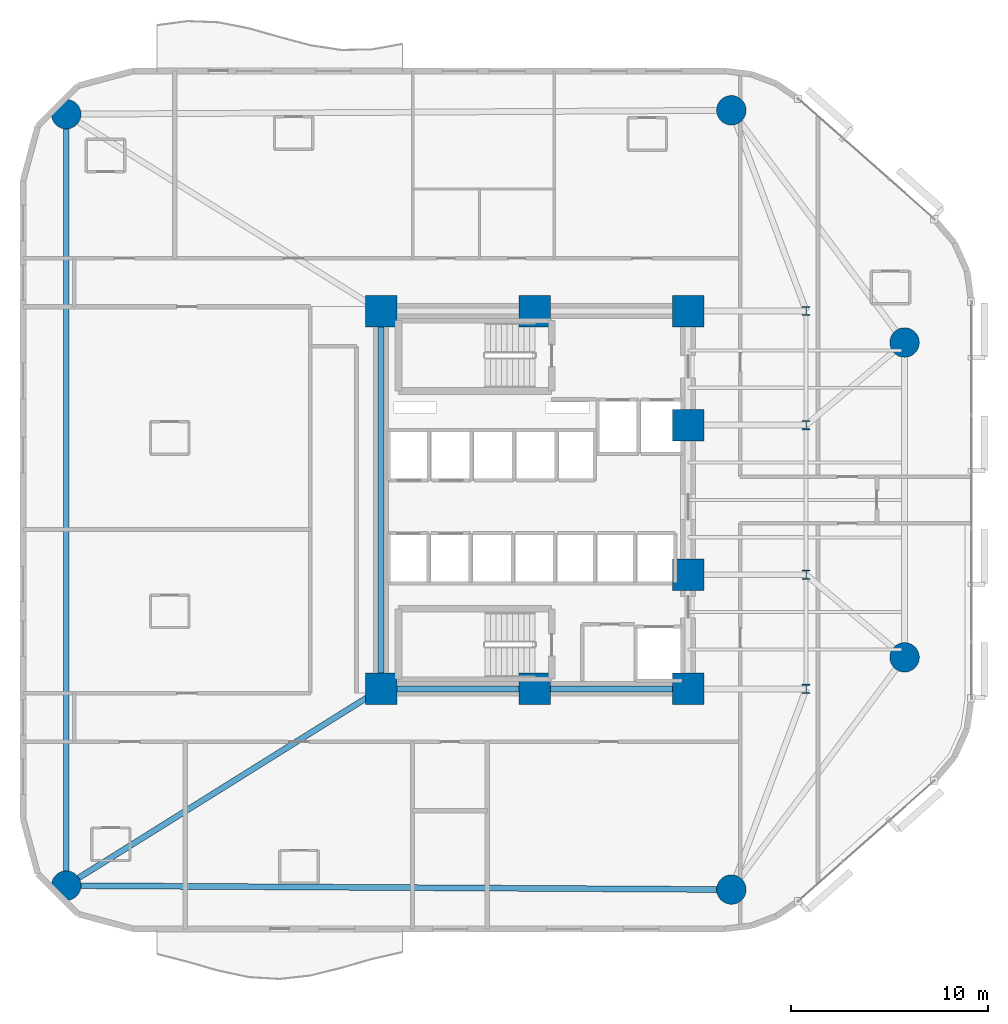
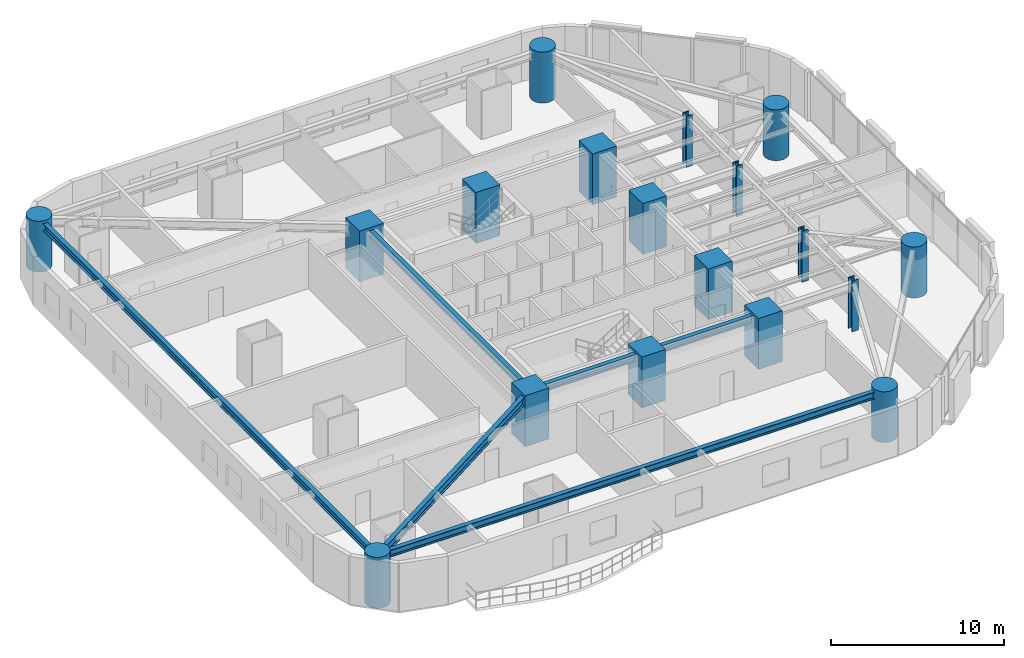
# One storey, part 1 of 16: 18 columns, 5 beams.
"""IFC4 building model written with IfcOpenShell, lengths in metres."""

from ifc_helpers import new_model, si_unit, direction, frame, origin, origin_2d, place, context, subcontext, project, spatial, rectangle, circle, i_section, extrude, material, material_profile, profile_set, type_object, element, save


model = new_model("IFC4")

# Units and contexts
model_context = context("Model", 3, precision=1e-05, world=origin(), true_north=direction((0.0, 1.0)))
body_context = subcontext(model_context, "Body", "Model", "MODEL_VIEW")
ifc_project = project(units=[si_unit("LENGTHUNIT", "METRE"), si_unit("AREAUNIT", "SQUARE_METRE"), si_unit("VOLUMEUNIT", "CUBIC_METRE"), si_unit("PLANEANGLEUNIT", "RADIAN"), si_unit("MASSUNIT", "GRAM", prefix="KILO")], contexts=[model_context])

# Site, building, storey
site_placement = place(None, origin())
site = spatial("IfcSite", under=ifc_project, at=site_placement, CompositionType="ELEMENT")
building_placement = place(site_placement, origin())
building = spatial("IfcBuilding", under=site, at=building_placement, Name="An Khanh Terracotta Commons", CompositionType="ELEMENT")
storey_placement = place(building_placement, frame((0.0, 0.0, 28.800048828125)))
storey = spatial("IfcBuildingStorey", under=building, at=storey_placement, Name="L07", CompositionType="ELEMENT", Elevation=28.800048828125)

# Columns
ifc_material_1 = material(Name="Concrete C70/85", Category="concrete")
ifc_material_profile_1 = material_profile(ifc_material_1, circle(Radius=0.75, at=origin_2d()), Name="CFST1500")
ifc_profile_set_1 = profile_set([ifc_material_profile_1], Name="Concrete C70/85")
column_type_1 = type_object("IfcColumnType", Name="COL-CFST1500", PredefinedType="COLUMN", material=ifc_profile_set_1)
for number, where, z_axis, x_axis, name in (
    (1, (5.60009765625, 4.39990234375, 0.0), (0.0, 0.0, 1.0), (1.0, 0.0, 0.0), "L07 Perimeter CFST Mega-Column MC-01"),
    (2, (39.39990234375, 4.199951171875, 0.0), (0.0, 0.0, 1.0), (1.0, 0.0, 0.0), "L07 Perimeter CFST Mega-Column MC-02"),
    (3, (48.199951171875, 16.0, 0.0), (0.0, 0.0, 1.0), (1.0, 0.0, 0.0), "L07 Perimeter CFST Mega-Column MC-03"),
    (4, (48.199951171875, 32.0, 0.0), (0.0, 0.0, 1.0), (1.0, 0.0, 0.0), "L07 Perimeter CFST Mega-Column MC-04"),
    (5, (39.39990234375, 43.800048828125, 0.0), (0.0, 0.0, 1.0), (1.0, 0.0, 0.0), "L07 Perimeter CFST Mega-Column MC-05"),
    (6, (5.60009765625, 43.60009765625, 0.0), (0.0, 0.0, 1.0), (1.0, 0.0, 0.0), "L07 Perimeter CFST Mega-Column MC-06"),
):
    element("IfcColumn", number, at=place(storey_placement, frame(where, z_axis=z_axis, x_axis=x_axis)), inside=storey, type_object=column_type_1, Name=name, PredefinedType="COLUMN", context=body_context, shape_type="SweptSolid", body=[
        extrude(circle(Radius=0.75, at=origin_2d()), origin(), (0.0, 0.0, 1.0), 3.599853515625),
    ])
ifc_material_2 = material(Name="Steel S460ML", Category="steel")
ifc_material_profile_2 = material_profile(ifc_material_2, i_section(OverallWidth=0.4169921875, OverallDepth=0.47705078125, WebThickness=0.035888671875, FlangeThickness=0.057373046875, FilletRadius=0.014892578125, at=origin_2d()), Name="HD400x463")
ifc_profile_set_2 = profile_set([ifc_material_profile_2], Name="Steel S460ML")
column_type_2 = type_object("IfcColumnType", Name="COL-HD400x463", PredefinedType="COLUMN", material=ifc_profile_set_2)
for number, where, z_axis, x_axis, name in (
    (7, (43.199951171875, 14.39990234375, 0.0), (0.0, 0.0, 1.0), (1.0, 0.0, 0.0), "L07 Interior Frame Column TC-01"),
    (8, (43.199951171875, 20.199951171875, 0.0), (0.0, 0.0, 1.0), (1.0, 0.0, 0.0), "L07 Interior Frame Column TC-02"),
    (9, (43.199951171875, 27.800048828125, 0.0), (0.0, 0.0, 1.0), (1.0, 0.0, 0.0), "L07 Interior Frame Column TC-03"),
    (10, (43.199951171875, 33.60009765625, 0.0), (0.0, 0.0, 1.0), (1.0, 0.0, 0.0), "L07 Interior Frame Column TC-04"),
):
    element("IfcColumn", number, at=place(storey_placement, frame(where, z_axis=z_axis, x_axis=x_axis)), inside=storey, type_object=column_type_2, Name=name, PredefinedType="COLUMN", context=body_context, shape_type="SweptSolid", body=[
        extrude(i_section(OverallWidth=0.4169921875, OverallDepth=0.47705078125, WebThickness=0.035888671875, FlangeThickness=0.057373046875, FilletRadius=0.014892578125, at=origin_2d()), origin(), (0.0, 0.0, 1.0), 3.599853515625),
    ])
ifc_material_profile_3 = material_profile(ifc_material_1, rectangle(XDim=1.60009765625, YDim=1.60009765625, at=origin_2d()), Name="RC1600x1600")
ifc_profile_set_3 = profile_set([ifc_material_profile_3], Name="Concrete C70/85")
column_type_3 = type_object("IfcColumnType", Name="COL-RC1600x1600", PredefinedType="COLUMN", material=ifc_profile_set_3)
for number, where, z_axis, x_axis, name in (
    (11, (21.60009765625, 14.39990234375, 0.0), (0.0, 0.0, 1.0), (1.0, 0.0, 0.0), "L07 Core Boundary Column CC-01"),
    (12, (29.39990234375, 14.39990234375, 0.0), (0.0, 0.0, 1.0), (1.0, 0.0, 0.0), "L07 Core Boundary Column CC-02"),
    (13, (37.199951171875, 14.39990234375, 0.0), (0.0, 0.0, 1.0), (1.0, 0.0, 0.0), "L07 Core Boundary Column CC-03"),
    (14, (37.199951171875, 20.199951171875, 0.0), (0.0, 0.0, 1.0), (1.0, 0.0, 0.0), "L07 Core Boundary Column CC-04"),
    (15, (37.199951171875, 27.800048828125, 0.0), (0.0, 0.0, 1.0), (1.0, 0.0, 0.0), "L07 Core Boundary Column CC-05"),
    (16, (37.199951171875, 33.60009765625, 0.0), (0.0, 0.0, 1.0), (1.0, 0.0, 0.0), "L07 Core Boundary Column CC-06"),
    (17, (29.39990234375, 33.60009765625, 0.0), (0.0, 0.0, 1.0), (1.0, 0.0, 0.0), "L07 Core Boundary Column CC-07"),
    (18, (21.60009765625, 33.60009765625, 0.0), (0.0, 0.0, 1.0), (1.0, 0.0, 0.0), "L07 Core Boundary Column CC-08"),
):
    element("IfcColumn", number, at=place(storey_placement, frame(where, z_axis=z_axis, x_axis=x_axis)), inside=storey, type_object=column_type_3, Name=name, PredefinedType="COLUMN", context=body_context, shape_type="SweptSolid", body=[
        extrude(rectangle(XDim=1.60009765625, YDim=1.60009765625, at=origin_2d()), origin(), (0.0, 0.0, 1.0), 3.599853515625),
    ])

# Beams
ifc_material_3 = material(Name="Steel S355J2", Category="steel")
ifc_material_profile_4 = material_profile(ifc_material_3, i_section(OverallWidth=0.300048828125, OverallDepth=0.449951171875, WebThickness=0.013916015625, FlangeThickness=0.02587890625, FilletRadius=0.027099609375, at=origin_2d()), Name="HEB450")
ifc_profile_set_4 = profile_set([ifc_material_profile_4], Name="Steel S355J2")
beam_type_1 = type_object("IfcBeamType", Name="BM-HEB450", PredefinedType="BEAM", material=ifc_profile_set_4)
beam_1_placement = place(storey_placement, frame((21.60009765625, 14.39990234375, 3.175048828125), z_axis=(0.0, 1.0, 0.0), x_axis=(-1.0, 0.0, 0.0)))
element("IfcBeam", 19, at=beam_1_placement, inside=storey, type_object=beam_type_1, Name="L07 Core West Coupling Girder", PredefinedType="BEAM", context=body_context, shape_type="SweptSolid", body=[
    extrude(i_section(OverallWidth=0.300048828125, OverallDepth=0.449951171875, WebThickness=0.013916015625, FlangeThickness=0.02587890625, FilletRadius=0.027099609375, at=origin_2d()), origin(), (0.0, 0.0, 1.0), 19.2001953125),
])
ifc_material_profile_5 = material_profile(ifc_material_3, i_section(OverallWidth=0.300048828125, OverallDepth=0.5, WebThickness=0.014404296875, FlangeThickness=0.028076171875, FilletRadius=0.027099609375, at=origin_2d()), Name="HEB500")
ifc_profile_set_5 = profile_set([ifc_material_profile_5], Name="Steel S355J2")
beam_type_2 = type_object("IfcBeamType", Name="BM-HEB500", PredefinedType="BEAM", material=ifc_profile_set_5)
beam_2_placement = place(storey_placement, frame((21.60009765625, 14.39990234375, 3.14990234375), z_axis=(1.0, 0.0, 0.0), x_axis=(0.0, 1.0, 0.0)))
element("IfcBeam", 20, at=beam_2_placement, inside=storey, type_object=beam_type_2, Name="L07 Core South Coupling Girder", PredefinedType="BEAM", context=body_context, shape_type="SweptSolid", body=[
    extrude(i_section(OverallWidth=0.300048828125, OverallDepth=0.5, WebThickness=0.014404296875, FlangeThickness=0.028076171875, FilletRadius=0.027099609375, at=origin_2d()), origin(), (0.0, 0.0, 1.0), 15.599853515625),
])
beam_3_placement = place(storey_placement, frame((5.60009765625, 4.39990234375, 3.14990234375), z_axis=(0.999982502414, -0.005915645817, 0.0), x_axis=(0.005915645817, 0.999982502414, 0.0)))
element("IfcBeam", 21, at=beam_3_placement, inside=storey, type_object=beam_type_2, Name="L07 Perimeter Ring Spandrel 1", PredefinedType="BEAM", context=body_context, shape_type="SweptSolid", body=[
    extrude(i_section(OverallWidth=0.300048828125, OverallDepth=0.5, WebThickness=0.014404296875, FlangeThickness=0.028076171875, FilletRadius=0.027099609375, at=origin_2d()), origin(), (0.0, 0.0, 1.0), 33.80029296875),
])
beam_4_placement = place(storey_placement, frame((5.60009765625, 43.60009765625, 3.14990234375), z_axis=(0.0, -1.0, 0.0), x_axis=(1.0, 0.0, 0.0)))
element("IfcBeam", 22, at=beam_4_placement, inside=storey, type_object=beam_type_2, Name="L07 Perimeter Ring Spandrel 6", PredefinedType="BEAM", context=body_context, shape_type="SweptSolid", body=[
    extrude(i_section(OverallWidth=0.300048828125, OverallDepth=0.5, WebThickness=0.014404296875, FlangeThickness=0.028076171875, FilletRadius=0.027099609375, at=origin_2d()), origin(), (0.0, 0.0, 1.0), 39.2001953125),
])
ifc_material_profile_6 = material_profile(ifc_material_3, i_section(OverallWidth=0.300048828125, OverallDepth=0.60009765625, WebThickness=0.015380859375, FlangeThickness=0.030029296875, FilletRadius=0.027099609375, at=origin_2d()), Name="HEB600")
ifc_profile_set_6 = profile_set([ifc_material_profile_6], Name="Steel S355J2")
beam_type_3 = type_object("IfcBeamType", Name="BM-HEB600", PredefinedType="BEAM", material=ifc_profile_set_6)
beam_5_placement = place(storey_placement, frame((5.60009765625, 4.39990234375, 3.099853515625), z_axis=(0.847998304005, 0.529998940003, 0.0), x_axis=(-0.529998940003, 0.847998304005, 0.0)))
element("IfcBeam", 23, at=beam_5_placement, inside=storey, type_object=beam_type_3, Name="L07 Mega-Column Tie Girder 1", PredefinedType="BEAM", context=body_context, shape_type="SweptSolid", body=[
    extrude(i_section(OverallWidth=0.300048828125, OverallDepth=0.60009765625, WebThickness=0.015380859375, FlangeThickness=0.030029296875, FilletRadius=0.027099609375, at=origin_2d()), origin(), (0.0, 0.0, 1.0), 18.867919921875),
])

save(model, "model.ifc")
